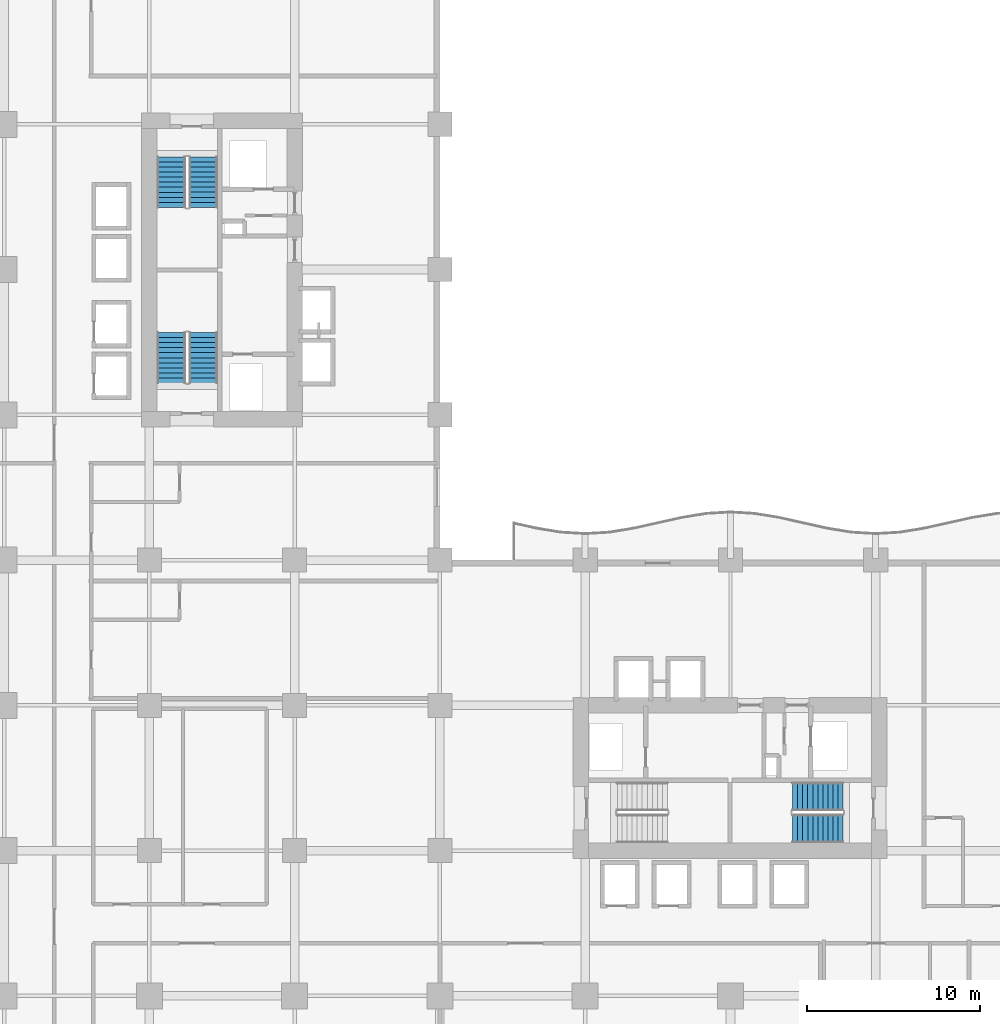
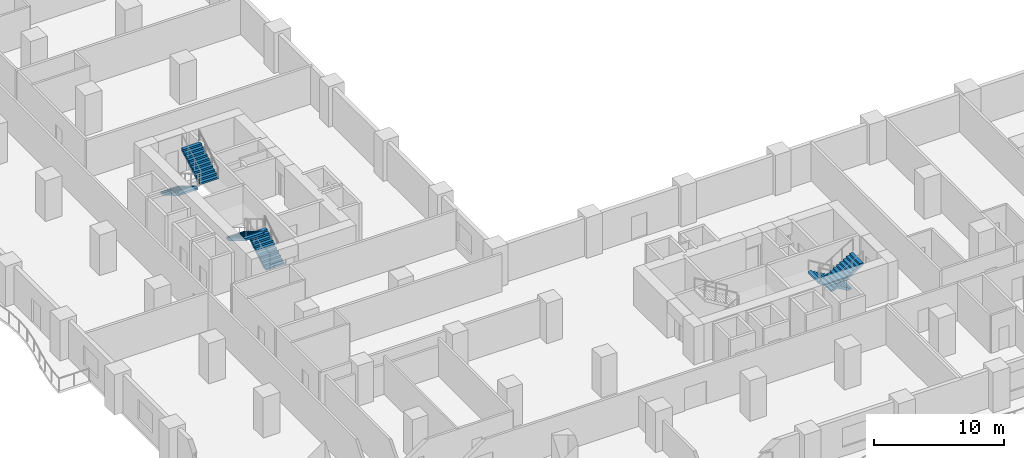
# One storey, part 15 of 21: 6 stair flights, 3 elements without a shape of their own.
"""IFC4 building model written with IfcOpenShell, lengths in metres."""

from ifc_helpers import new_model, si_unit, direction, frame, origin, place, context, subcontext, project, spatial, polyline, outline, extrude, material, type_object, element, aggregate, save


model = new_model("IFC4")

# Units and contexts
model_context = context("Model", 3, precision=1e-05, world=origin(), true_north=direction((0.0, 1.0)))
body_context = subcontext(model_context, "Body", "Model", "MODEL_VIEW")
ifc_project = project(units=[si_unit("LENGTHUNIT", "METRE"), si_unit("AREAUNIT", "SQUARE_METRE"), si_unit("VOLUMEUNIT", "CUBIC_METRE"), si_unit("PLANEANGLEUNIT", "RADIAN"), si_unit("MASSUNIT", "GRAM", prefix="KILO")], contexts=[model_context])

# Site, building, storey
site_placement = place(None, origin())
site = spatial("IfcSite", under=ifc_project, at=site_placement, CompositionType="ELEMENT")
building_placement = place(site_placement, origin())
building = spatial("IfcBuilding", under=site, at=building_placement, Name="Koriwani Terraces Tower", CompositionType="ELEMENT")
storey_placement = place(building_placement, frame((0.0, 0.0, 77.60009765625)))
storey = spatial("IfcBuildingStorey", under=building, at=storey_placement, Name="L18", CompositionType="ELEMENT", Elevation=77.60009765625)

# Stair, stair flights
ifc_material = material(Name="Concrete C40/50", Category="concrete")
stair_type = type_object("IfcStairType", Name="STAIR_CORE_DOGLEG_1650", PredefinedType="TWO_STRAIGHT_RUN_STAIR", material=ifc_material)
stair_1_placement = place(storey_placement, origin())
stair_1 = element("IfcStair", 1, at=stair_1_placement, inside=storey, type_object=stair_type, Name="L18 West Core Exit Stair 1", PredefinedType="HALF_TURN_STAIR")
stair_flight_type = type_object("IfcStairFlightType", Name="STAIR_FLIGHT_RC_1650", PredefinedType="STRAIGHT", material=ifc_material)
stair_flight_1_placement = place(storey_placement, frame((19.925048828125, 43.85009765625, 0.0), z_axis=(0.0, 0.0, 1.0), x_axis=(0.0, 1.0, 0.0)))
stair_flight_1 = element("IfcStairFlight", 2, at=stair_flight_1_placement, type_object=stair_flight_type, Name="ST-W1 flight 1", NumberOfRisers=11, NumberOfTreads=10, PredefinedType="STRAIGHT", RiserHeight=0.172727273, TreadLength=0.29, context=body_context, shape_type="SweptSolid", body=[
    extrude(outline(polyline([(0.0, 0.0), (0.0, 0.172607421875), (0.2900390625, 0.172607421875), (0.2900390625, 0.345458984375), (0.580078125, 0.345458984375), (0.580078125, 0.51806640625), (0.8701171875, 0.51806640625), (0.8701171875, 0.69091796875), (1.159912109375, 0.69091796875), (1.159912109375, 0.863525390625), (1.449951171875, 0.863525390625), (1.449951171875, 1.036376953125), (1.739990234375, 1.036376953125), (1.739990234375, 1.208984375), (2.030029296875, 1.208984375), (2.030029296875, 1.3818359375), (2.320068359375, 1.3818359375), (2.320068359375, 1.554443359375), (2.610107421875, 1.554443359375), (2.610107421875, 1.727294921875), (2.89990234375, 1.727294921875), (2.89990234375, 1.89990234375), (2.89990234375, 1.517822265625), (0.3515625, 0.0), (0.0, 0.0)])), frame((0.0, 0.824951171875, 0.0), z_axis=(0.0, -1.0, 0.0), x_axis=(1.0, 0.0, 0.0)), (0.0, 0.0, 1.0), 1.64990234375),
])
stair_flight_2_placement = place(storey_placement, frame((18.074951171875, 46.75, 1.89990234375), z_axis=(0.0, 0.0, 1.0), x_axis=(0.0, -1.0, 0.0)))
stair_flight_2 = element("IfcStairFlight", 3, at=stair_flight_2_placement, type_object=stair_flight_type, Name="ST-W1 flight 2", NumberOfRisers=11, NumberOfTreads=10, PredefinedType="STRAIGHT", RiserHeight=0.172727273, TreadLength=0.29, context=body_context, shape_type="SweptSolid", body=[
    extrude(outline(polyline([(0.0, 0.0), (0.0, 0.172607421875), (0.2900390625, 0.172607421875), (0.2900390625, 0.345458984375), (0.580078125, 0.345458984375), (0.580078125, 0.51806640625), (0.8701171875, 0.51806640625), (0.8701171875, 0.69091796875), (1.159912109375, 0.69091796875), (1.159912109375, 0.863525390625), (1.449951171875, 0.863525390625), (1.449951171875, 1.036376953125), (1.739990234375, 1.036376953125), (1.739990234375, 1.208984375), (2.030029296875, 1.208984375), (2.030029296875, 1.3818359375), (2.320068359375, 1.3818359375), (2.320068359375, 1.554443359375), (2.610107421875, 1.554443359375), (2.610107421875, 1.727294921875), (2.89990234375, 1.727294921875), (2.89990234375, 1.89990234375), (2.89990234375, 1.517822265625), (0.3515625, 0.0), (0.0, 0.0)])), frame((0.0, 0.824951171875, 0.0), z_axis=(0.0, -1.0, 0.0), x_axis=(1.0, 0.0, 0.0)), (0.0, 0.0, 1.0), 1.64990234375),
])
aggregate(stair_1, [stair_flight_1, stair_flight_2])

stair_2_placement = place(storey_placement, origin())
stair_2 = element("IfcStair", 4, at=stair_2_placement, inside=storey, type_object=stair_type, Name="L18 West Core Exit Stair 2", PredefinedType="HALF_TURN_STAIR")
stair_flight_3_placement = place(storey_placement, frame((18.074951171875, 56.89990234375, 0.0), z_axis=(0.0, 0.0, 1.0), x_axis=(0.0, -1.0, 0.0)))
stair_flight_3 = element("IfcStairFlight", 5, at=stair_flight_3_placement, type_object=stair_flight_type, Name="ST-W2 flight 1", NumberOfRisers=11, NumberOfTreads=10, PredefinedType="STRAIGHT", RiserHeight=0.172727273, TreadLength=0.29, context=body_context, shape_type="SweptSolid", body=[
    extrude(outline(polyline([(0.0, 0.0), (0.0, 0.172607421875), (0.2900390625, 0.172607421875), (0.2900390625, 0.345458984375), (0.580078125, 0.345458984375), (0.580078125, 0.51806640625), (0.8701171875, 0.51806640625), (0.8701171875, 0.69091796875), (1.159912109375, 0.69091796875), (1.159912109375, 0.863525390625), (1.449951171875, 0.863525390625), (1.449951171875, 1.036376953125), (1.739990234375, 1.036376953125), (1.739990234375, 1.208984375), (2.030029296875, 1.208984375), (2.030029296875, 1.3818359375), (2.320068359375, 1.3818359375), (2.320068359375, 1.554443359375), (2.610107421875, 1.554443359375), (2.610107421875, 1.727294921875), (2.89990234375, 1.727294921875), (2.89990234375, 1.89990234375), (2.89990234375, 1.517822265625), (0.3515625, 0.0), (0.0, 0.0)])), frame((0.0, 0.824951171875, 0.0), z_axis=(0.0, -1.0, 0.0), x_axis=(1.0, 0.0, 0.0)), (0.0, 0.0, 1.0), 1.64990234375),
])
stair_flight_4_placement = place(storey_placement, frame((19.925048828125, 54.0, 1.89990234375), z_axis=(0.0, 0.0, 1.0), x_axis=(0.0, 1.0, 0.0)))
stair_flight_4 = element("IfcStairFlight", 6, at=stair_flight_4_placement, type_object=stair_flight_type, Name="ST-W2 flight 2", NumberOfRisers=11, NumberOfTreads=10, PredefinedType="STRAIGHT", RiserHeight=0.172727273, TreadLength=0.29, context=body_context, shape_type="SweptSolid", body=[
    extrude(outline(polyline([(0.0, 0.0), (0.0, 0.172607421875), (0.2900390625, 0.172607421875), (0.2900390625, 0.345458984375), (0.580078125, 0.345458984375), (0.580078125, 0.51806640625), (0.8701171875, 0.51806640625), (0.8701171875, 0.69091796875), (1.159912109375, 0.69091796875), (1.159912109375, 0.863525390625), (1.449951171875, 0.863525390625), (1.449951171875, 1.036376953125), (1.739990234375, 1.036376953125), (1.739990234375, 1.208984375), (2.030029296875, 1.208984375), (2.030029296875, 1.3818359375), (2.320068359375, 1.3818359375), (2.320068359375, 1.554443359375), (2.610107421875, 1.554443359375), (2.610107421875, 1.727294921875), (2.89990234375, 1.727294921875), (2.89990234375, 1.89990234375), (2.89990234375, 1.517822265625), (0.3515625, 0.0), (0.0, 0.0)])), frame((0.0, 0.824951171875, 0.0), z_axis=(0.0, -1.0, 0.0), x_axis=(1.0, 0.0, 0.0)), (0.0, 0.0, 1.0), 1.64990234375),
])
aggregate(stair_2, [stair_flight_3, stair_flight_4])

stair_3_placement = place(storey_placement, origin())
stair_3 = element("IfcStair", 7, at=stair_3_placement, inside=storey, type_object=stair_type, Name="L18 East Core Exit Stair 2", PredefinedType="HALF_TURN_STAIR")
stair_flight_5_placement = place(storey_placement, frame((56.89990234375, 19.925048828125, 0.0), z_axis=(0.0, 0.0, 1.0), x_axis=(-1.0, 0.0, 0.0)))
stair_flight_5 = element("IfcStairFlight", 8, at=stair_flight_5_placement, type_object=stair_flight_type, Name="ST-E2 flight 1", NumberOfRisers=11, NumberOfTreads=10, PredefinedType="STRAIGHT", RiserHeight=0.172727273, TreadLength=0.29, context=body_context, shape_type="SweptSolid", body=[
    extrude(outline(polyline([(0.0, 0.0), (0.0, 0.172607421875), (0.2900390625, 0.172607421875), (0.2900390625, 0.345458984375), (0.580078125, 0.345458984375), (0.580078125, 0.51806640625), (0.8701171875, 0.51806640625), (0.8701171875, 0.69091796875), (1.159912109375, 0.69091796875), (1.159912109375, 0.863525390625), (1.449951171875, 0.863525390625), (1.449951171875, 1.036376953125), (1.739990234375, 1.036376953125), (1.739990234375, 1.208984375), (2.030029296875, 1.208984375), (2.030029296875, 1.3818359375), (2.320068359375, 1.3818359375), (2.320068359375, 1.554443359375), (2.610107421875, 1.554443359375), (2.610107421875, 1.727294921875), (2.89990234375, 1.727294921875), (2.89990234375, 1.89990234375), (2.89990234375, 1.517822265625), (0.3515625, 0.0), (0.0, 0.0)])), frame((0.0, 0.824951171875, 0.0), z_axis=(0.0, -1.0, 0.0), x_axis=(1.0, 0.0, 0.0)), (0.0, 0.0, 1.0), 1.64990234375),
])
stair_flight_6_placement = place(storey_placement, frame((54.0, 18.074951171875, 1.89990234375), z_axis=(0.0, 0.0, 1.0), x_axis=(1.0, 0.0, 0.0)))
stair_flight_6 = element("IfcStairFlight", 9, at=stair_flight_6_placement, type_object=stair_flight_type, Name="ST-E2 flight 2", NumberOfRisers=11, NumberOfTreads=10, PredefinedType="STRAIGHT", RiserHeight=0.172727273, TreadLength=0.29, context=body_context, shape_type="SweptSolid", body=[
    extrude(outline(polyline([(0.0, 0.0), (0.0, 0.172607421875), (0.2900390625, 0.172607421875), (0.2900390625, 0.345458984375), (0.580078125, 0.345458984375), (0.580078125, 0.51806640625), (0.8701171875, 0.51806640625), (0.8701171875, 0.69091796875), (1.159912109375, 0.69091796875), (1.159912109375, 0.863525390625), (1.449951171875, 0.863525390625), (1.449951171875, 1.036376953125), (1.739990234375, 1.036376953125), (1.739990234375, 1.208984375), (2.030029296875, 1.208984375), (2.030029296875, 1.3818359375), (2.320068359375, 1.3818359375), (2.320068359375, 1.554443359375), (2.610107421875, 1.554443359375), (2.610107421875, 1.727294921875), (2.89990234375, 1.727294921875), (2.89990234375, 1.89990234375), (2.89990234375, 1.517822265625), (0.3515625, 0.0), (0.0, 0.0)])), frame((0.0, 0.824951171875, 0.0), z_axis=(0.0, -1.0, 0.0), x_axis=(1.0, 0.0, 0.0)), (0.0, 0.0, 1.0), 1.64990234375),
])
aggregate(stair_3, [stair_flight_5, stair_flight_6])

save(model, "model.ifc")
